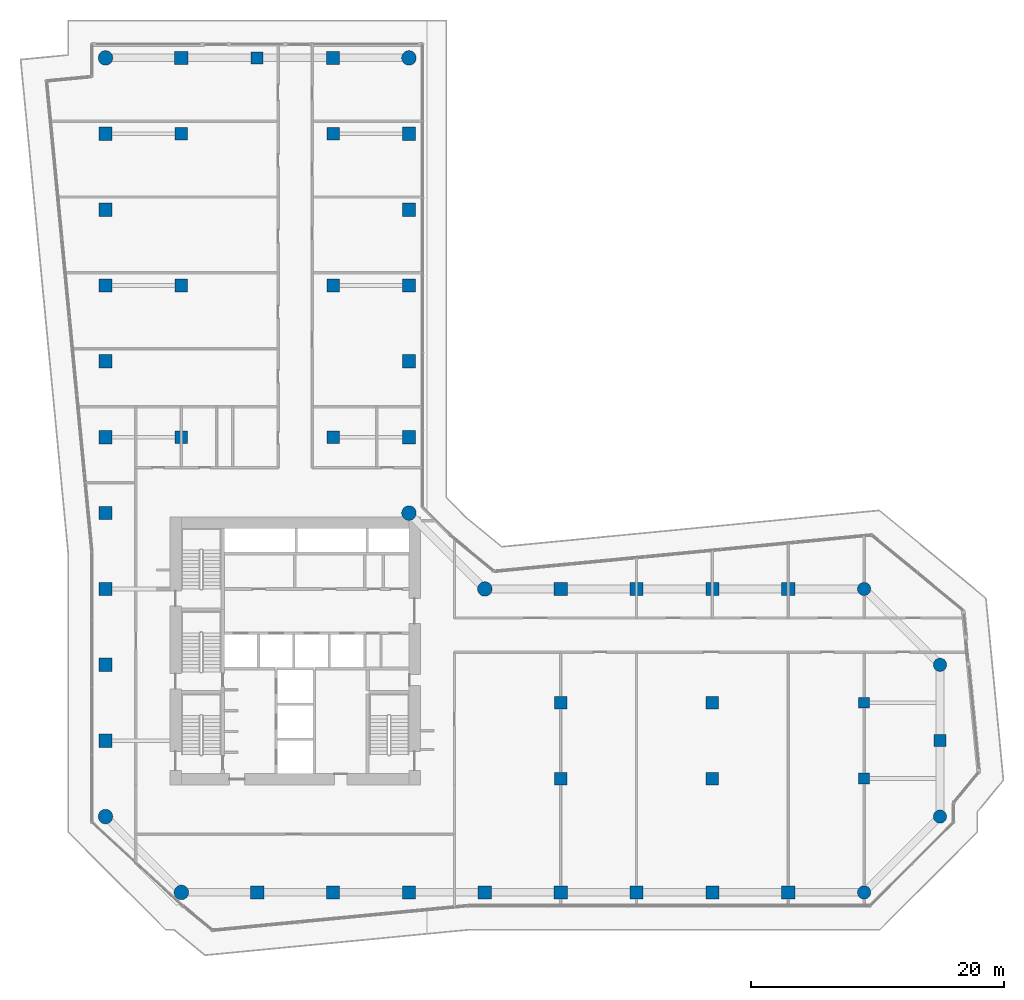
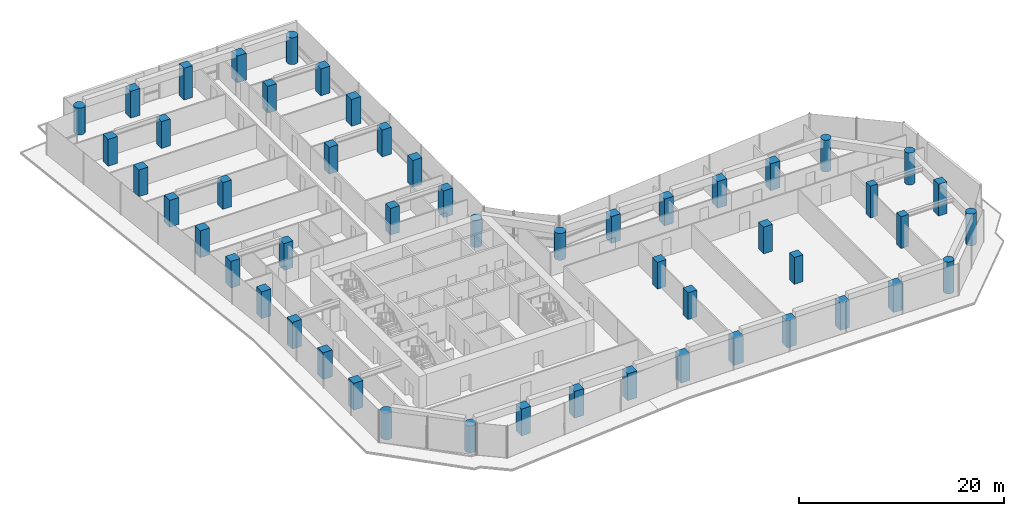
# One storey, part 1 of 30: 52 columns.
"""IFC4 building model written with IfcOpenShell, lengths in metres."""

from ifc_helpers import new_model, si_unit, direction, frame, origin, origin_2d, place, context, subcontext, project, spatial, rectangle, circle, extrude, material, material_profile, profile_set, type_object, element, save


model = new_model("IFC4")

# Units and contexts
model_context = context("Model", 3, precision=1e-05, world=origin(), true_north=direction((0.0, 1.0)))
body_context = subcontext(model_context, "Body", "Model", "MODEL_VIEW")
ifc_project = project(units=[si_unit("LENGTHUNIT", "METRE"), si_unit("AREAUNIT", "SQUARE_METRE"), si_unit("VOLUMEUNIT", "CUBIC_METRE"), si_unit("PLANEANGLEUNIT", "RADIAN"), si_unit("MASSUNIT", "GRAM", prefix="KILO")], contexts=[model_context])

# Site, building, storey
site_placement = place(None, origin())
site = spatial("IfcSite", under=ifc_project, at=site_placement, CompositionType="ELEMENT")
building_placement = place(site_placement, origin())
building = spatial("IfcBuilding", under=site, at=building_placement, Name="Welwitschia Terrace Campus", CompositionType="ELEMENT")
storey_placement = place(building_placement, frame((0.0, 0.0, 75.199951171875)))
storey = spatial("IfcBuildingStorey", under=building, at=storey_placement, Name="L17", CompositionType="ELEMENT", Elevation=75.199951171875)

# Columns
ifc_material_1 = material(Name="Concrete C60/75", Category="concrete")
ifc_material_profile_1 = material_profile(ifc_material_1, circle(Radius=0.52490234375, at=origin_2d()))
ifc_profile_set_1 = profile_set([ifc_material_profile_1], Name="Concrete C60/75")
column_type_1 = type_object("IfcColumnType", Name="Corner column 1050 dia", PredefinedType="COLUMN", material=ifc_profile_set_1)
for number, where, z_axis, x_axis, name in (
    (1, (60.0, -4.0, 0.0), (0.0, 0.0, 1.0), (1.0, 0.0, 0.0), "Column C5"),
    (2, (60.0, 20.0, 0.0), (0.0, 0.0, 1.0), (1.0, 0.0, 0.0), "Column C5"),
    (3, (66.0, 2.0, 0.0), (0.0, 0.0, 1.0), (1.0, 0.0, 0.0), "Column C5"),
    (4, (66.0, 14.0, 0.0), (0.0, 0.0, 1.0), (1.0, 0.0, 0.0), "Column C5"),
):
    element("IfcColumn", number, at=place(storey_placement, frame(where, z_axis=z_axis, x_axis=x_axis)), inside=storey, type_object=column_type_1, Name=name, PredefinedType="COLUMN", context=body_context, shape_type="SweptSolid", body=[
        extrude(circle(Radius=0.52490234375, at=origin_2d()), origin(), (0.0, 0.0, 1.0), 3.800048828125),
    ])
ifc_material_2 = material(Name="Concrete C60/75", Category="concrete")
ifc_material_profile_2 = material_profile(ifc_material_2, circle(Radius=0.574951171875, at=origin_2d()))
ifc_profile_set_2 = profile_set([ifc_material_profile_2], Name="Concrete C60/75")
column_type_2 = type_object("IfcColumnType", Name="Corner column 1150 dia under truss", PredefinedType="COLUMN", material=ifc_profile_set_2)
for number, where, z_axis, x_axis, name in (
    (5, (0.0, 2.0, 0.0), (0.0, 0.0, 1.0), (1.0, 0.0, 0.0), "Column C8"),
    (6, (0.0, 62.0, 0.0), (0.0, 0.0, 1.0), (1.0, 0.0, 0.0), "Column C8"),
    (7, (6.0, -4.0, 0.0), (0.0, 0.0, 1.0), (1.0, 0.0, 0.0), "Column C8"),
    (8, (24.0, 26.0, 0.0), (0.0, 0.0, 1.0), (1.0, 0.0, 0.0), "Column C8"),
    (9, (24.0, 62.0, 0.0), (0.0, 0.0, 1.0), (1.0, 0.0, 0.0), "Column C8"),
    (10, (30.0, 20.0, 0.0), (0.0, 0.0, 1.0), (1.0, 0.0, 0.0), "Column C8"),
):
    element("IfcColumn", number, at=place(storey_placement, frame(where, z_axis=z_axis, x_axis=x_axis)), inside=storey, type_object=column_type_2, Name=name, PredefinedType="COLUMN", context=body_context, shape_type="SweptSolid", body=[
        extrude(circle(Radius=0.574951171875, at=origin_2d()), origin(), (0.0, 0.0, 1.0), 3.199951171875),
    ])
ifc_material_3 = material(Name="Concrete C60/75", Category="concrete")
ifc_material_profile_3 = material_profile(ifc_material_3, rectangle(XDim=1.0, YDim=1.0, at=origin_2d()))
ifc_profile_set_3 = profile_set([ifc_material_profile_3], Name="Concrete C60/75")
column_type_3 = type_object("IfcColumnType", Name="Interior column 1000x1000 under truss", PredefinedType="COLUMN", material=ifc_profile_set_3)
for number, where, z_axis, x_axis, name in (
    (11, (6.0, 32.0, 0.0), (0.0, 0.0, 1.0), (1.0, 0.0, 0.0), "Column C10"),
    (12, (6.0, 44.0, 0.0), (0.0, 0.0, 1.0), (1.0, 0.0, 0.0), "Column C10"),
    (13, (6.0, 56.0, 0.0), (0.0, 0.0, 1.0), (1.0, 0.0, 0.0), "Column C10"),
    (14, (18.0, 32.0, 0.0), (0.0, 0.0, 1.0), (1.0, 0.0, 0.0), "Column C10"),
    (15, (18.0, 44.0, 0.0), (0.0, 0.0, 1.0), (1.0, 0.0, 0.0), "Column C10"),
    (16, (18.0, 56.0, 0.0), (0.0, 0.0, 1.0), (1.0, 0.0, 0.0), "Column C10"),
    (17, (36.0, 5.0, 0.0), (0.0, 0.0, 1.0), (1.0, 0.0, 0.0), "Column C10"),
    (18, (36.0, 11.0, 0.0), (0.0, 0.0, 1.0), (1.0, 0.0, 0.0), "Column C10"),
    (19, (48.0, 5.0, 0.0), (0.0, 0.0, 1.0), (1.0, 0.0, 0.0), "Column C10"),
    (20, (48.0, 11.0, 0.0), (0.0, 0.0, 1.0), (1.0, 0.0, 0.0), "Column C10"),
):
    element("IfcColumn", number, at=place(storey_placement, frame(where, z_axis=z_axis, x_axis=x_axis)), inside=storey, type_object=column_type_3, Name=name, PredefinedType="COLUMN", context=body_context, shape_type="SweptSolid", body=[
        extrude(rectangle(XDim=1.0, YDim=1.0, at=origin_2d()), origin(), (0.0, 0.0, 1.0), 3.199951171875),
    ])
ifc_material_4 = material(Name="Concrete C60/75", Category="concrete")
ifc_material_profile_4 = material_profile(ifc_material_4, rectangle(XDim=0.85009765625, YDim=0.85009765625, at=origin_2d()))
ifc_profile_set_4 = profile_set([ifc_material_profile_4], Name="Concrete C60/75")
column_type_4 = type_object("IfcColumnType", Name="Interior column 850x850", PredefinedType="COLUMN", material=ifc_profile_set_4)
for number, where, z_axis, x_axis, name in (
    (21, (60.0, 5.0, 0.0), (0.0, 0.0, 1.0), (1.0, 0.0, 0.0), "Column C7"),
    (22, (60.0, 11.0, 0.0), (0.0, 0.0, 1.0), (1.0, 0.0, 0.0), "Column C7"),
):
    element("IfcColumn", number, at=place(storey_placement, frame(where, z_axis=z_axis, x_axis=x_axis)), inside=storey, type_object=column_type_4, Name=name, PredefinedType="COLUMN", context=body_context, shape_type="SweptSolid", body=[
        extrude(rectangle(XDim=0.85009765625, YDim=0.85009765625, at=origin_2d()), origin(), (0.0, 0.0, 1.0), 3.800048828125),
    ])
ifc_material_5 = material(Name="Concrete C60/75", Category="concrete")
ifc_material_profile_5 = material_profile(ifc_material_5, rectangle(XDim=1.050048828125, YDim=1.050048828125, at=origin_2d()))
ifc_profile_set_5 = profile_set([ifc_material_profile_5], Name="Concrete C60/75")
column_type_5 = type_object("IfcColumnType", Name="Ring column 1050x1050 under truss", PredefinedType="COLUMN", material=ifc_profile_set_5)
for number, where, z_axis, x_axis, name in (
    (23, (0.0, 8.0, 0.0), (0.0, 0.0, 1.0), (1.0, 0.0, 0.0), "Column C9"),
    (24, (0.0, 14.0, 0.0), (0.0, 0.0, 1.0), (1.0, 0.0, 0.0), "Column C9"),
    (25, (0.0, 20.0, 0.0), (0.0, 0.0, 1.0), (1.0, 0.0, 0.0), "Column C9"),
    (26, (0.0, 26.0, 0.0), (0.0, 0.0, 1.0), (1.0, 0.0, 0.0), "Column C9"),
    (27, (0.0, 32.0, 0.0), (0.0, 0.0, 1.0), (1.0, 0.0, 0.0), "Column C9"),
    (28, (0.0, 38.0, 0.0), (0.0, 0.0, 1.0), (1.0, 0.0, 0.0), "Column C9"),
    (29, (0.0, 44.0, 0.0), (0.0, 0.0, 1.0), (1.0, 0.0, 0.0), "Column C9"),
    (30, (0.0, 50.0, 0.0), (0.0, 0.0, 1.0), (1.0, 0.0, 0.0), "Column C9"),
    (31, (0.0, 56.0, 0.0), (0.0, 0.0, 1.0), (1.0, 0.0, 0.0), "Column C9"),
    (32, (6.0, 62.0, 0.0), (0.0, 0.0, 1.0), (1.0, 0.0, 0.0), "Column C9"),
    (33, (12.0, -4.0, 0.0), (0.0, 0.0, 1.0), (1.0, 0.0, 0.0), "Column C9"),
    (34, (18.0, -4.0, 0.0), (0.0, 0.0, 1.0), (1.0, 0.0, 0.0), "Column C9"),
    (35, (18.0, 62.0, 0.0), (0.0, 0.0, 1.0), (1.0, 0.0, 0.0), "Column C9"),
    (36, (24.0, -4.0, 0.0), (0.0, 0.0, 1.0), (1.0, 0.0, 0.0), "Column C9"),
    (37, (24.0, 32.0, 0.0), (0.0, 0.0, 1.0), (1.0, 0.0, 0.0), "Column C9"),
    (38, (24.0, 38.0, 0.0), (0.0, 0.0, 1.0), (1.0, 0.0, 0.0), "Column C9"),
    (39, (24.0, 44.0, 0.0), (0.0, 0.0, 1.0), (1.0, 0.0, 0.0), "Column C9"),
    (40, (24.0, 50.0, 0.0), (0.0, 0.0, 1.0), (1.0, 0.0, 0.0), "Column C9"),
    (41, (24.0, 56.0, 0.0), (0.0, 0.0, 1.0), (1.0, 0.0, 0.0), "Column C9"),
    (42, (30.0, -4.0, 0.0), (0.0, 0.0, 1.0), (1.0, 0.0, 0.0), "Column C9"),
    (43, (36.0, -4.0, 0.0), (0.0, 0.0, 1.0), (1.0, 0.0, 0.0), "Column C9"),
    (44, (36.0, 20.0, 0.0), (0.0, 0.0, 1.0), (1.0, 0.0, 0.0), "Column C9"),
    (45, (42.0, -4.0, 0.0), (0.0, 0.0, 1.0), (1.0, 0.0, 0.0), "Column C9"),
    (46, (42.0, 20.0, 0.0), (0.0, 0.0, 1.0), (1.0, 0.0, 0.0), "Column C9"),
    (47, (48.0, -4.0, 0.0), (0.0, 0.0, 1.0), (1.0, 0.0, 0.0), "Column C9"),
    (48, (48.0, 20.0, 0.0), (0.0, 0.0, 1.0), (1.0, 0.0, 0.0), "Column C9"),
    (49, (54.0, -4.0, 0.0), (0.0, 0.0, 1.0), (1.0, 0.0, 0.0), "Column C9"),
    (50, (54.0, 20.0, 0.0), (0.0, 0.0, 1.0), (1.0, 0.0, 0.0), "Column C9"),
):
    element("IfcColumn", number, at=place(storey_placement, frame(where, z_axis=z_axis, x_axis=x_axis)), inside=storey, type_object=column_type_5, Name=name, PredefinedType="COLUMN", context=body_context, shape_type="SweptSolid", body=[
        extrude(rectangle(XDim=1.050048828125, YDim=1.050048828125, at=origin_2d()), origin(), (0.0, 0.0, 1.0), 3.199951171875),
    ])
ifc_material_6 = material(Name="Concrete C60/75", Category="concrete")
ifc_material_profile_6 = material_profile(ifc_material_6, rectangle(XDim=0.949951171875, YDim=0.949951171875, at=origin_2d()))
ifc_profile_set_6 = profile_set([ifc_material_profile_6], Name="Concrete C60/75")
column_type_6 = type_object("IfcColumnType", Name="Ring column 950x950", PredefinedType="COLUMN", material=ifc_profile_set_6)
for number, where, z_axis, x_axis, name in (
    (51, (12.0, 62.0, 0.0), (0.0, 0.0, 1.0), (1.0, 0.0, 0.0), "Column C6"),
    (52, (66.0, 8.0, 0.0), (0.0, 0.0, 1.0), (1.0, 0.0, 0.0), "Column C6"),
):
    element("IfcColumn", number, at=place(storey_placement, frame(where, z_axis=z_axis, x_axis=x_axis)), inside=storey, type_object=column_type_6, Name=name, PredefinedType="COLUMN", context=body_context, shape_type="SweptSolid", body=[
        extrude(rectangle(XDim=0.949951171875, YDim=0.949951171875, at=origin_2d()), origin(), (0.0, 0.0, 1.0), 3.800048828125),
    ])

save(model, "model.ifc")
